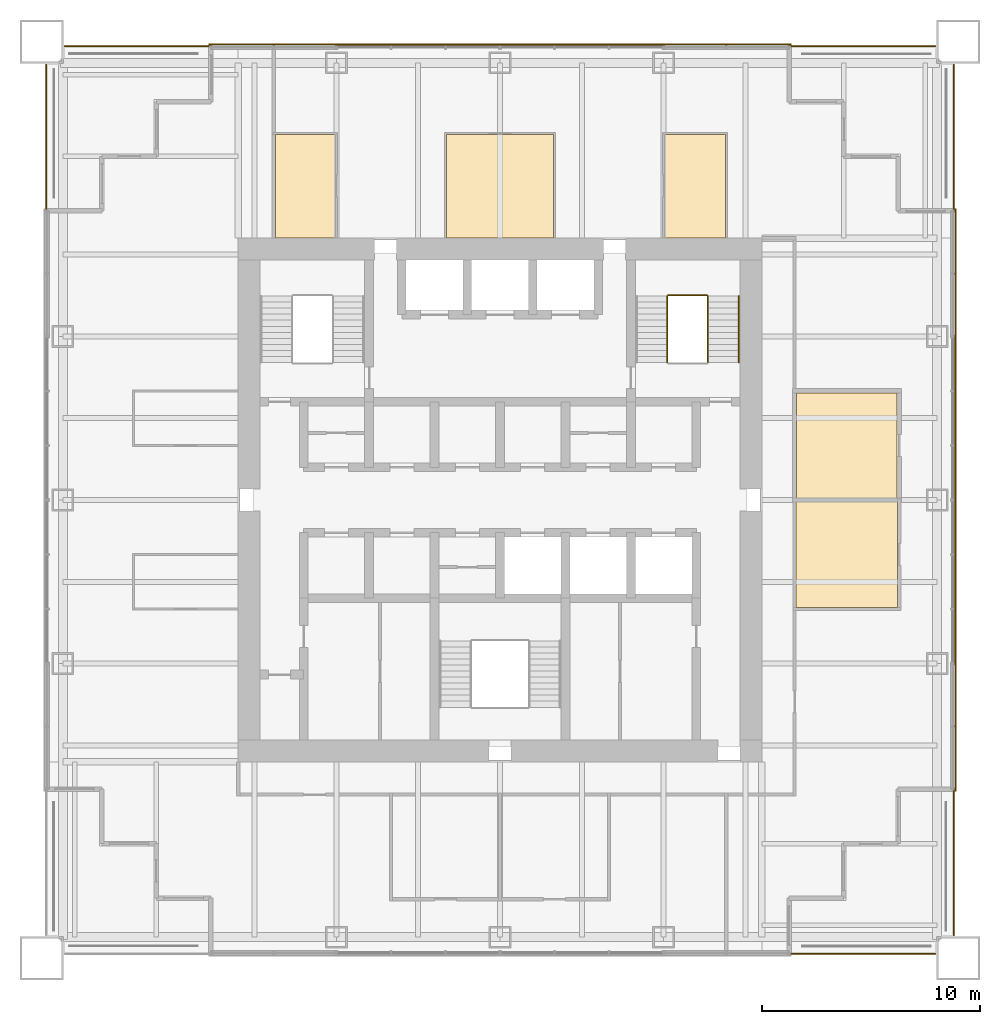
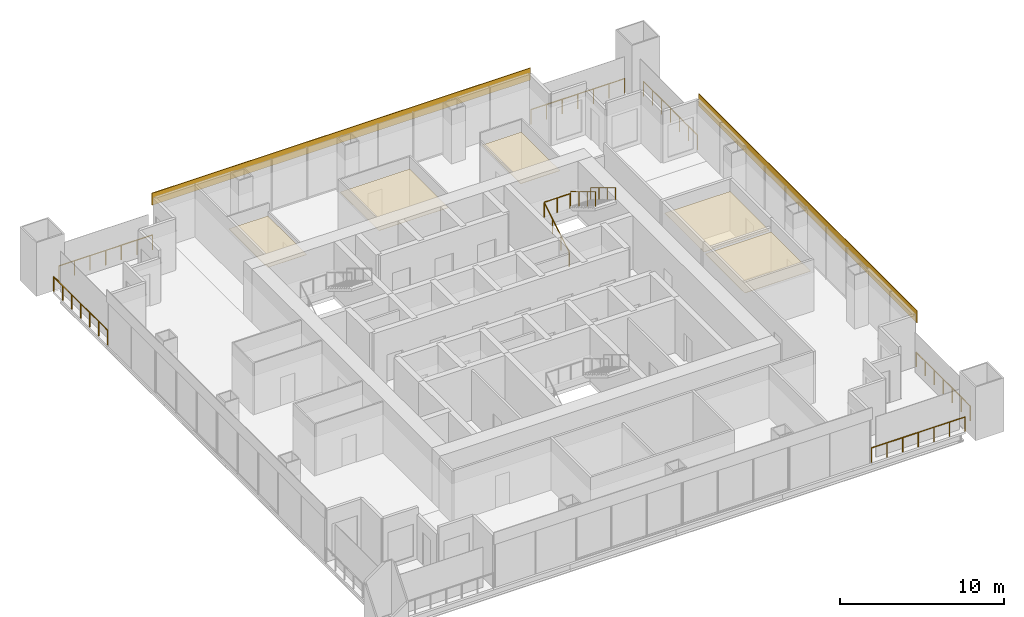
# One storey, part 14 of 14: 10 railings, 7 coverings.
"""IFC4 building model written with IfcOpenShell, lengths in metres."""

from ifc_helpers import new_model, si_unit, direction, frame, origin, origin_2d, place, context, subcontext, project, spatial, polyline, rectangle, circle, outline, extrude, material, layer, layer_set, type_object, element, save


model = new_model("IFC4")

# Units and contexts
model_context = context("Model", 3, precision=1e-05, world=origin(), true_north=direction((0.0, 1.0)))
body_context = subcontext(model_context, "Body", "Model", "MODEL_VIEW")
ifc_project = project(units=[si_unit("LENGTHUNIT", "METRE"), si_unit("AREAUNIT", "SQUARE_METRE"), si_unit("VOLUMEUNIT", "CUBIC_METRE"), si_unit("PLANEANGLEUNIT", "RADIAN"), si_unit("MASSUNIT", "GRAM", prefix="KILO")], contexts=[model_context])

# Site, building, storey
site_placement = place(None, origin())
site = spatial("IfcSite", under=ifc_project, at=site_placement, CompositionType="ELEMENT")
building_placement = place(site_placement, origin())
building = spatial("IfcBuilding", under=site, at=building_placement, Name="Tarangal Relay Tower", CompositionType="ELEMENT")
storey_placement = place(building_placement, frame((0.0, 0.0, 287.89990234375)))
storey = spatial("IfcBuildingStorey", under=building, at=storey_placement, Name="L63", CompositionType="ELEMENT", Elevation=287.89990234375)

# Coverings
ifc_material_1 = material(Name="Black anodised aluminium cladding", Category="aluminium")
ifc_layer_1 = layer(ifc_material_1, 0.050048828125)
ifc_layer_set_1 = layer_set([ifc_layer_1], Name="Black metal spandrel band")
covering_type_1 = type_object("IfcCoveringType", Name="Black metal spandrel band", PredefinedType="CLADDING", material=ifc_layer_set_1)
for number, where, z_axis, x_axis, name in (
    (1, (0.0, 20.875, 3.250244140625), (0.0, 0.0, 1.0), (1.0, 0.0, 0.0), "Spandrel band SB1 N L63"),
    (2, (20.875, 0.0, 3.250244140625), (0.0, 0.0, 1.0), (0.0, -1.0, 0.0), "Spandrel band SB1 E L63"),
):
    element("IfcCovering", number, at=place(storey_placement, frame(where, z_axis=z_axis, x_axis=x_axis)), inside=storey, type_object=covering_type_1, Name=name, PredefinedType="CLADDING", context=body_context, shape_type="SweptSolid", body=[
        extrude(rectangle(XDim=26.699951171875, YDim=0.050048828125, at=origin_2d()), origin(), (0.0, 0.0, 1.0), 0.89990234375),
    ])

# Railings
ifc_material_2 = material(Name="Steel guard, black finish", Category="steel")
railing_type_1 = type_object("IfcRailingType", Name="Stair guard 1100", PredefinedType="GUARDRAIL", material=ifc_material_2)
railing_1_placement = place(storey_placement, frame((7.669921875, 6.300048828125, 0.166748046875)))
element("IfcRailing", 3, at=railing_1_placement, inside=storey, type_object=railing_type_1, Name="Stair ST-B guard GR1 L63 flight 1", PredefinedType="GUARDRAIL", context=body_context, shape_type="SweptSolid", body=[
    extrude(circle(Radius=0.02392578125, at=origin_2d()), frame((0.0, 0.0, 1.076171875), z_axis=(0.0, 0.85685617095, 0.515555527858), x_axis=(-1.0, 0.0, 0.0)), (0.0, 0.0, 1.0), 3.555908203125),
    extrude(circle(Radius=0.02099609375, at=origin_2d()), origin(), (0.0, 0.0, 1.0), 1.052001953125),
    extrude(circle(Radius=0.02099609375, at=origin_2d()), frame((0.0, 1.015625, 0.611083984375)), (0.0, 0.0, 1.0), 1.052001953125),
    extrude(circle(Radius=0.02099609375, at=origin_2d()), frame((0.0, 2.03125, 1.22216796875)), (0.0, 0.0, 1.0), 1.052001953125),
    extrude(circle(Radius=0.02099609375, at=origin_2d()), frame((0.0, 3.046875, 1.833251953125)), (0.0, 0.0, 1.0), 1.052001953125),
])
railing_2_placement = place(storey_placement, frame((9.530029296875, 9.346923828125, 2.166748046875)))
element("IfcRailing", 4, at=railing_2_placement, inside=storey, type_object=railing_type_1, Name="Stair ST-B guard GR1 L63 flight 2", PredefinedType="GUARDRAIL", context=body_context, shape_type="SweptSolid", body=[
    extrude(circle(Radius=0.02392578125, at=origin_2d()), frame((0.0, 0.0, 1.076171875), z_axis=(0.0, -0.85685617095, 0.515555527858), x_axis=(1.0, 0.0, 0.0)), (0.0, 0.0, 1.0), 3.555908203125),
    extrude(circle(Radius=0.02099609375, at=origin_2d()), origin(), (0.0, 0.0, 1.0), 1.052001953125),
    extrude(circle(Radius=0.02099609375, at=origin_2d()), frame((0.0, -1.015625, 0.611083984375)), (0.0, 0.0, 1.0), 1.052001953125),
    extrude(circle(Radius=0.02099609375, at=origin_2d()), frame((0.0, -2.03125, 1.22216796875)), (0.0, 0.0, 1.0), 1.052001953125),
    extrude(circle(Radius=0.02099609375, at=origin_2d()), frame((0.0, -3.046875, 1.833251953125)), (0.0, 0.0, 1.0), 1.052001953125),
])
railing_3_placement = place(storey_placement, frame((7.699951171875, 9.376953125, 2.0)))
element("IfcRailing", 5, at=railing_3_placement, inside=storey, type_object=railing_type_1, Name="Stair ST-B landing guard GR1 L63", PredefinedType="GUARDRAIL", context=body_context, shape_type="SweptSolid", body=[
    extrude(circle(Radius=0.02392578125, at=origin_2d()), frame((0.0, 0.0, 1.076171875), z_axis=(1.0, 0.0, 0.0), x_axis=(0.0, 1.0, 0.0)), (0.0, 0.0, 1.0), 1.800048828125),
    extrude(circle(Radius=0.02099609375, at=origin_2d()), origin(), (0.0, 0.0, 1.0), 1.052001953125),
    extrude(circle(Radius=0.02099609375, at=origin_2d()), frame((0.89990234375, 0.0, 0.0)), (0.0, 0.0, 1.0), 1.052001953125),
    extrude(circle(Radius=0.02099609375, at=origin_2d()), frame((1.800048828125, 0.0, 0.0)), (0.0, 0.0, 1.0), 1.052001953125),
])
ifc_material_3 = material(Name="Steel handrail, black finish", Category="steel")
railing_type_2 = type_object("IfcRailingType", Name="Stair handrail 900", PredefinedType="HANDRAIL", material=ifc_material_3)
railing_4_placement = place(storey_placement, frame((10.93994140625, 9.346923828125, 2.166748046875)))
element("IfcRailing", 6, at=railing_4_placement, inside=storey, type_object=railing_type_2, Name="Stair ST-B handrail HR1 L63 flight 2", PredefinedType="HANDRAIL", context=body_context, shape_type="SweptSolid", body=[
    extrude(circle(Radius=0.02392578125, at=origin_2d()), frame((0.0, 0.0, 0.8759765625), z_axis=(0.0, -0.85685617095, 0.515555527858), x_axis=(1.0, 0.0, 0.0)), (0.0, 0.0, 1.0), 3.555908203125),
    extrude(circle(Radius=0.02099609375, at=origin_2d()), origin(), (0.0, 0.0, 1.0), 0.851806640625),
    extrude(circle(Radius=0.02099609375, at=origin_2d()), frame((0.0, -1.015625, 0.611083984375)), (0.0, 0.0, 1.0), 0.851806640625),
    extrude(circle(Radius=0.02099609375, at=origin_2d()), frame((0.0, -2.03125, 1.22216796875)), (0.0, 0.0, 1.0), 0.851806640625),
    extrude(circle(Radius=0.02099609375, at=origin_2d()), frame((0.0, -3.046875, 1.833251953125)), (0.0, 0.0, 1.0), 0.851806640625),
])

# Coverings
ifc_material_4 = material(Name="Mineral fibre ceiling tiles", Category="gypsum")
ifc_layer_2 = layer(ifc_material_4, 0.02001953125)
ifc_layer_set_2 = layer_set([ifc_layer_2], Name="Suspended ceiling")
covering_type_2 = type_object("IfcCoveringType", Name="Suspended ceiling", PredefinedType="CEILING", material=ifc_layer_set_2)
covering_1_placement = place(storey_placement, frame((0.0, 0.0, 2.900146484375)))
element("IfcCovering", 7, at=covering_1_placement, inside=storey, type_object=covering_type_2, Name="Suspended ceiling CL1 L63-02", PredefinedType="CEILING", context=body_context, shape_type="SweptSolid", body=[
    extrude(outline(polyline([(-7.550048828125, 12.0), (-7.550048828125, 16.75), (-10.300048828125, 16.75), (-10.300048828125, 12.0), (-7.550048828125, 12.0)])), origin(), (0.0, 0.0, 1.0), 0.02001953125),
])
covering_2_placement = place(storey_placement, frame((0.0, 0.0, 2.900146484375)))
element("IfcCovering", 8, at=covering_2_placement, inside=storey, type_object=covering_type_2, Name="Suspended ceiling CL1 L63-03", PredefinedType="CEILING", context=body_context, shape_type="SweptSolid", body=[
    extrude(outline(polyline([(2.449951171875, 12.0), (2.449951171875, 16.75), (-2.449951171875, 16.75), (-2.449951171875, 12.0), (2.449951171875, 12.0)])), origin(), (0.0, 0.0, 1.0), 0.02001953125),
])
covering_3_placement = place(storey_placement, frame((0.0, 0.0, 2.900146484375)))
element("IfcCovering", 9, at=covering_3_placement, inside=storey, type_object=covering_type_2, Name="Suspended ceiling CL1 L63-04", PredefinedType="CEILING", context=body_context, shape_type="SweptSolid", body=[
    extrude(outline(polyline([(10.324951171875, 12.0), (10.324951171875, 16.75), (7.550048828125, 16.75), (7.550048828125, 12.0), (10.324951171875, 12.0)])), origin(), (0.0, 0.0, 1.0), 0.02001953125),
])
covering_4_placement = place(storey_placement, frame((0.0, 0.0, 2.900146484375)))
element("IfcCovering", 10, at=covering_4_placement, inside=storey, type_object=covering_type_2, Name="Suspended ceiling CL1 L63-05", PredefinedType="CEILING", context=body_context, shape_type="SweptSolid", body=[
    extrude(outline(polyline([(18.199951171875, 0.10009765625), (18.199951171875, 4.89990234375), (13.60009765625, 4.89990234375), (13.60009765625, 0.10009765625), (18.199951171875, 0.10009765625)])), origin(), (0.0, 0.0, 1.0), 0.02001953125),
])
covering_5_placement = place(storey_placement, frame((0.0, 0.0, 2.900146484375)))
element("IfcCovering", 11, at=covering_5_placement, inside=storey, type_object=covering_type_2, Name="Suspended ceiling CL1 L63-06", PredefinedType="CEILING", context=body_context, shape_type="SweptSolid", body=[
    extrude(outline(polyline([(18.22509765625, -0.10009765625), (13.574951171875, -0.10009765625), (13.574951171875, -4.925048828125), (18.22509765625, -4.925048828125), (18.22509765625, -0.10009765625)])), origin(), (0.0, 0.0, 1.0), 0.02001953125),
])

# Railings
ifc_material_5 = material(Name="Black steel guard with glass infill", Category="steel")
railing_type_3 = type_object("IfcRailingType", Name="Terrace guard 1100", PredefinedType="GUARDRAIL", material=ifc_material_5)
railing_5_placement = place(storey_placement, frame((13.35009765625, 20.800048828125, 0.0)))
element("IfcRailing", 12, at=railing_5_placement, inside=storey, type_object=railing_type_3, Name="Terrace guard GR2 NE L63", PredefinedType="GUARDRAIL", context=body_context, shape_type="SweptSolid", body=[
    extrude(circle(Radius=0.02392578125, at=origin_2d()), frame((0.0, 0.0, 1.076171875), z_axis=(1.0, 0.0, 0.0), x_axis=(0.0, 1.0, 0.0)), (0.0, 0.0, 1.0), 6.599853515625),
    extrude(circle(Radius=0.02099609375, at=origin_2d()), origin(), (0.0, 0.0, 1.0), 1.052001953125),
    extrude(circle(Radius=0.02099609375, at=origin_2d()), frame((1.10009765625, 0.0, 0.0)), (0.0, 0.0, 1.0), 1.052001953125),
    extrude(circle(Radius=0.02099609375, at=origin_2d()), frame((2.199951171875, 0.0, 0.0)), (0.0, 0.0, 1.0), 1.052001953125),
    extrude(circle(Radius=0.02099609375, at=origin_2d()), frame((3.2998046875, 0.0, 0.0)), (0.0, 0.0, 1.0), 1.052001953125),
    extrude(circle(Radius=0.02099609375, at=origin_2d()), frame((4.39990234375, 0.0, 0.0)), (0.0, 0.0, 1.0), 1.052001953125),
    extrude(circle(Radius=0.02099609375, at=origin_2d()), frame((5.5, 0.0, 0.0)), (0.0, 0.0, 1.0), 1.052001953125),
    extrude(circle(Radius=0.02099609375, at=origin_2d()), frame((6.599853515625, 0.0, 0.0)), (0.0, 0.0, 1.0), 1.052001953125),
])
for number, where, name in (
    (13, (20.800048828125, 19.949951171875, 0.0), "Terrace guard GR2 NE L63"),
    (14, (20.800048828125, -13.35009765625, 0.0), "Terrace guard GR2 SE L63"),
):
    element("IfcRailing", number, at=place(storey_placement, frame(where)), inside=storey, type_object=railing_type_3, Name=name, PredefinedType="GUARDRAIL", context=body_context, shape_type="SweptSolid", body=[
        extrude(circle(Radius=0.02392578125, at=origin_2d()), frame((0.0, 0.0, 1.076171875), z_axis=(0.0, -1.0, 0.0), x_axis=(1.0, 0.0, 0.0)), (0.0, 0.0, 1.0), 6.599853515625),
        extrude(circle(Radius=0.02099609375, at=origin_2d()), origin(), (0.0, 0.0, 1.0), 1.052001953125),
        extrude(circle(Radius=0.02099609375, at=origin_2d()), frame((0.0, -1.10009765625, 0.0)), (0.0, 0.0, 1.0), 1.052001953125),
        extrude(circle(Radius=0.02099609375, at=origin_2d()), frame((0.0, -2.199951171875, 0.0)), (0.0, 0.0, 1.0), 1.052001953125),
        extrude(circle(Radius=0.02099609375, at=origin_2d()), frame((0.0, -3.2998046875, 0.0)), (0.0, 0.0, 1.0), 1.052001953125),
        extrude(circle(Radius=0.02099609375, at=origin_2d()), frame((0.0, -4.39990234375, 0.0)), (0.0, 0.0, 1.0), 1.052001953125),
        extrude(circle(Radius=0.02099609375, at=origin_2d()), frame((0.0, -5.5, 0.0)), (0.0, 0.0, 1.0), 1.052001953125),
        extrude(circle(Radius=0.02099609375, at=origin_2d()), frame((0.0, -6.599853515625, 0.0)), (0.0, 0.0, 1.0), 1.052001953125),
    ])
railing_6_placement = place(storey_placement, frame((19.949951171875, -20.800048828125, 0.0)))
element("IfcRailing", 15, at=railing_6_placement, inside=storey, type_object=railing_type_3, Name="Terrace guard GR2 SE L63", PredefinedType="GUARDRAIL", context=body_context, shape_type="SweptSolid", body=[
    extrude(circle(Radius=0.02392578125, at=origin_2d()), frame((0.0, 0.0, 1.076171875), z_axis=(-1.0, 0.0, 0.0), x_axis=(0.0, -1.0, 0.0)), (0.0, 0.0, 1.0), 6.599853515625),
    extrude(circle(Radius=0.02099609375, at=origin_2d()), origin(), (0.0, 0.0, 1.0), 1.052001953125),
    extrude(circle(Radius=0.02099609375, at=origin_2d()), frame((-1.10009765625, 0.0, 0.0)), (0.0, 0.0, 1.0), 1.052001953125),
    extrude(circle(Radius=0.02099609375, at=origin_2d()), frame((-2.199951171875, 0.0, 0.0)), (0.0, 0.0, 1.0), 1.052001953125),
    extrude(circle(Radius=0.02099609375, at=origin_2d()), frame((-3.2998046875, 0.0, 0.0)), (0.0, 0.0, 1.0), 1.052001953125),
    extrude(circle(Radius=0.02099609375, at=origin_2d()), frame((-4.39990234375, 0.0, 0.0)), (0.0, 0.0, 1.0), 1.052001953125),
    extrude(circle(Radius=0.02099609375, at=origin_2d()), frame((-5.5, 0.0, 0.0)), (0.0, 0.0, 1.0), 1.052001953125),
    extrude(circle(Radius=0.02099609375, at=origin_2d()), frame((-6.599853515625, 0.0, 0.0)), (0.0, 0.0, 1.0), 1.052001953125),
])
railing_7_placement = place(storey_placement, frame((-20.800048828125, 13.35009765625, 0.0)))
element("IfcRailing", 16, at=railing_7_placement, inside=storey, type_object=railing_type_3, Name="Terrace guard GR2 NW L63", PredefinedType="GUARDRAIL", context=body_context, shape_type="SweptSolid", body=[
    extrude(circle(Radius=0.02392578125, at=origin_2d()), frame((0.0, 0.0, 1.076171875), z_axis=(0.0, 1.0, 0.0), x_axis=(-1.0, 0.0, 0.0)), (0.0, 0.0, 1.0), 6.599853515625),
    extrude(circle(Radius=0.02099609375, at=origin_2d()), origin(), (0.0, 0.0, 1.0), 1.052001953125),
    extrude(circle(Radius=0.02099609375, at=origin_2d()), frame((0.0, 1.10009765625, 0.0)), (0.0, 0.0, 1.0), 1.052001953125),
    extrude(circle(Radius=0.02099609375, at=origin_2d()), frame((0.0, 2.199951171875, 0.0)), (0.0, 0.0, 1.0), 1.052001953125),
    extrude(circle(Radius=0.02099609375, at=origin_2d()), frame((0.0, 3.2998046875, 0.0)), (0.0, 0.0, 1.0), 1.052001953125),
    extrude(circle(Radius=0.02099609375, at=origin_2d()), frame((0.0, 4.39990234375, 0.0)), (0.0, 0.0, 1.0), 1.052001953125),
    extrude(circle(Radius=0.02099609375, at=origin_2d()), frame((0.0, 5.5, 0.0)), (0.0, 0.0, 1.0), 1.052001953125),
    extrude(circle(Radius=0.02099609375, at=origin_2d()), frame((0.0, 6.599853515625, 0.0)), (0.0, 0.0, 1.0), 1.052001953125),
])
railing_8_placement = place(storey_placement, frame((-19.949951171875, 20.800048828125, 0.0)))
element("IfcRailing", 17, at=railing_8_placement, inside=storey, type_object=railing_type_3, Name="Terrace guard GR2 NW L63", PredefinedType="GUARDRAIL", context=body_context, shape_type="SweptSolid", body=[
    extrude(circle(Radius=0.02392578125, at=origin_2d()), frame((0.0, 0.0, 1.076171875), z_axis=(1.0, 0.0, 0.0), x_axis=(0.0, 1.0, 0.0)), (0.0, 0.0, 1.0), 6.599853515625),
    extrude(circle(Radius=0.02099609375, at=origin_2d()), origin(), (0.0, 0.0, 1.0), 1.052001953125),
    extrude(circle(Radius=0.02099609375, at=origin_2d()), frame((1.10009765625, 0.0, 0.0)), (0.0, 0.0, 1.0), 1.052001953125),
    extrude(circle(Radius=0.02099609375, at=origin_2d()), frame((2.199951171875, 0.0, 0.0)), (0.0, 0.0, 1.0), 1.052001953125),
    extrude(circle(Radius=0.02099609375, at=origin_2d()), frame((3.2998046875, 0.0, 0.0)), (0.0, 0.0, 1.0), 1.052001953125),
    extrude(circle(Radius=0.02099609375, at=origin_2d()), frame((4.39990234375, 0.0, 0.0)), (0.0, 0.0, 1.0), 1.052001953125),
    extrude(circle(Radius=0.02099609375, at=origin_2d()), frame((5.5, 0.0, 0.0)), (0.0, 0.0, 1.0), 1.052001953125),
    extrude(circle(Radius=0.02099609375, at=origin_2d()), frame((6.599853515625, 0.0, 0.0)), (0.0, 0.0, 1.0), 1.052001953125),
])

save(model, "model.ifc")
